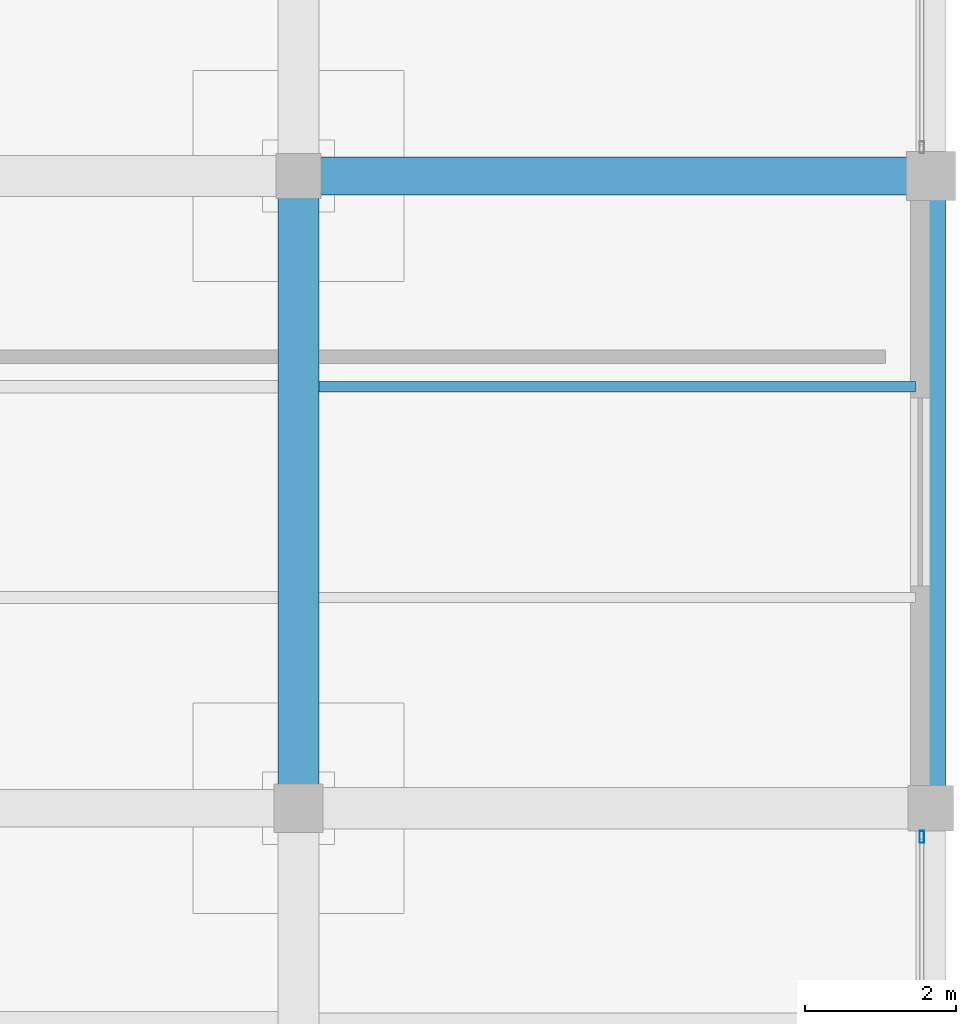
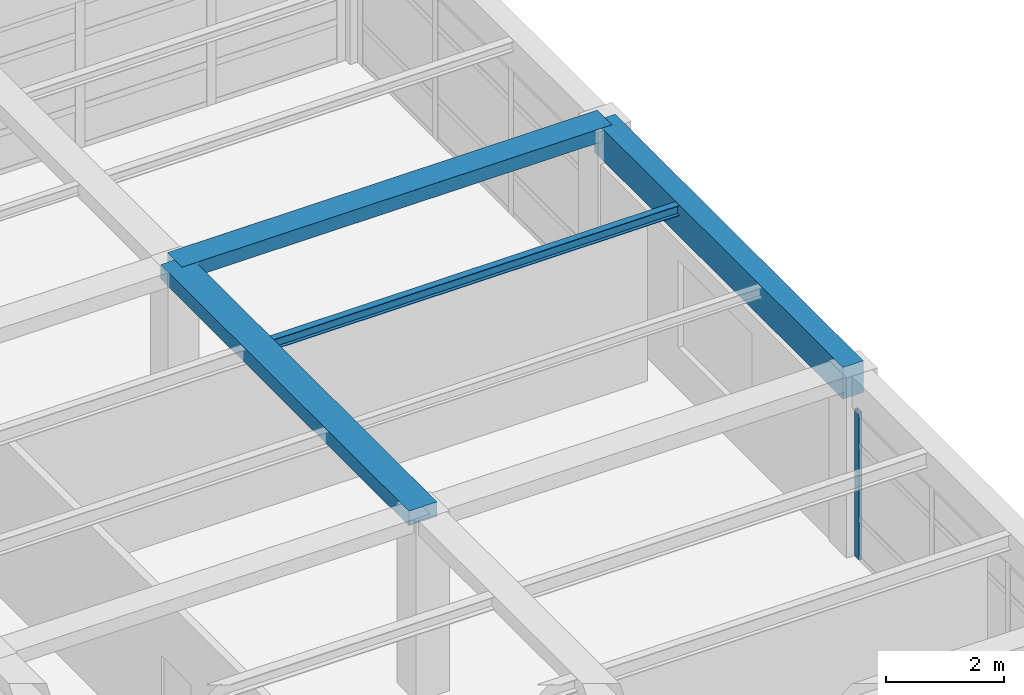
# One storey, part 15 of 26: 4 beams, 1 member, 1 element without a shape of its own.
"""IFC4 building model written with IfcOpenShell, lengths in metres."""

import ifcopenshell
import ifcopenshell.guid

model = None  # the IFC model being written
_history = None  # IfcOwnerHistory: only IFC2X3 demands one
_inside = {}  # id of a spatial element -> (the spatial element, [elements in it])
_under = {}  # id of a project, library or spatial element -> (it, [spatial elements below it])
_declared = {}  # id of a project -> (the project, [libraries it declares])
_typed = {}  # id of a type object -> (the type object, [elements of that type])
_made_of = {}  # id of a material, layer set ... -> (it, [elements and type objects made of it])


def new_model(schema):
    """Start an empty IFC model of exactly this schema.

    Asked for "IFC4X3", IfcOpenShell would pick the latest addendum, in which some entities
    have other attributes; the version numbers below select the first issue.
    IFC2X3 requires an IfcOwnerHistory on every rooted entity: one is made here for all.
    """
    global model, _history
    if schema == "IFC4X3":
        model = ifcopenshell.file(schema_version=(4, 3, 0, 0))
    else:
        model = ifcopenshell.file(schema=schema)
    _inside.clear()
    _under.clear()
    _declared.clear()
    _typed.clear()
    _made_of.clear()
    _history = None
    if model.schema == "IFC2X3":
        org = make("IfcOrganization", Name="unknown")
        user = make(
            "IfcPersonAndOrganization",
            ThePerson=make("IfcPerson", FamilyName="unknown"),
            TheOrganization=org,
        )
        app = make(
            "IfcApplication",
            ApplicationDeveloper=org,
            Version="unknown",
            ApplicationFullName="unknown",
            ApplicationIdentifier="unknown",
        )
        _history = make(
            "IfcOwnerHistory",
            OwningUser=user,
            OwningApplication=app,
            ChangeAction="ADDED",
            CreationDate=0,
        )
    return model


def make(cls, **values):
    """One entity of the class cls with the attributes given. An attribute that is None is left unset."""
    return model.create_entity(
        cls, **{name: value for name, value in values.items() if value is not None}
    )


def rooted(cls, **values):
    """An entity with a GlobalId (a new one), such as an element, a storey or a relation."""
    return make(cls, GlobalId=ifcopenshell.guid.new(), OwnerHistory=_history, **values)


def si_unit(unit_type, name, prefix=None):
    """IfcSIUnit, for example si_unit("LENGTHUNIT", "METRE", prefix="MILLI")."""
    return make("IfcSIUnit", UnitType=unit_type, Prefix=prefix, Name=name)


def assignment(units):
    """IfcUnitAssignment: the units of a project."""
    return None if units is None else make("IfcUnitAssignment", Units=units)


def point(xyz):
    """IfcCartesianPoint."""
    return None if xyz is None else make("IfcCartesianPoint", Coordinates=xyz)


def direction(xyz):
    """IfcDirection."""
    return None if xyz is None else make("IfcDirection", DirectionRatios=xyz)


def frame(location, z_axis=None, x_axis=None):
    """IfcAxis2Placement3D, a coordinate frame: its origin and axes. An axis left out is left unset."""
    return make(
        "IfcAxis2Placement3D",
        Location=point(location),
        Axis=direction(z_axis),
        RefDirection=direction(x_axis),
    )


def frame_2d(location, x_axis=None):
    """IfcAxis2Placement2D, a coordinate frame in the plane: its origin and x axis."""
    return make(
        "IfcAxis2Placement2D", Location=point(location), RefDirection=direction(x_axis)
    )


def origin():
    """The frame at (0, 0, 0) with its axes left unset."""
    return frame((0.0, 0.0, 0.0))


def origin_2d():
    """The frame at (0, 0) in the plane with its x axis left unset."""
    return frame_2d((0.0, 0.0))


def place(relative_to, where):
    """IfcLocalPlacement: puts the frame where relative to a parent placement (None: the world)."""
    return make(
        "IfcLocalPlacement", PlacementRelTo=relative_to, RelativePlacement=where
    )


def context(
    kind, dimensions, precision=None, world=None, true_north=None, identifier=None
):
    """IfcGeometricRepresentationContext, for example the 3D "Model" context."""
    return make(
        "IfcGeometricRepresentationContext",
        ContextIdentifier=identifier,
        ContextType=kind,
        CoordinateSpaceDimension=dimensions,
        Precision=precision,
        WorldCoordinateSystem=world,
        TrueNorth=true_north,
    )


def subcontext(parent, identifier, kind, view, scale=None):
    """IfcGeometricRepresentationSubContext, for example "Body" below "Model"."""
    return make(
        "IfcGeometricRepresentationSubContext",
        ContextIdentifier=identifier,
        ContextType=kind,
        ParentContext=parent,
        TargetScale=scale,
        TargetView=view,
    )


def project(units=None, contexts=None):
    """IfcProject with its units and contexts."""
    return rooted(
        "IfcProject",
        Name="project",
        RepresentationContexts=contexts,
        UnitsInContext=assignment(units),
    )


def spatial(cls, under=None, at=None, **own):
    """A site, building, storey or space (cls), placed at a placement, below another one or the project."""
    s = rooted(cls, ObjectPlacement=at, **own)
    if under is not None:
        _under.setdefault(under.id(), (under, []))[1].append(s)
    return s


def profile(cls, at=None, kind="AREA", **sizes):
    """A parametric profile (cls). Its sizes go by their IFC names, for example OverallWidth=200.0."""
    return make(cls, ProfileType=kind, Position=at, **sizes)


def rectangle(**sizes):
    """IfcRectangleProfileDef."""
    return profile("IfcRectangleProfileDef", **sizes)


def hollow_rectangle(**sizes):
    """IfcRectangleHollowProfileDef."""
    return profile("IfcRectangleHollowProfileDef", **sizes)


def i_section(**sizes):
    """IfcIShapeProfileDef."""
    return profile("IfcIShapeProfileDef", **sizes)


def extrude(swept, where, along, depth):
    """IfcExtrudedAreaSolid: the profile swept, set in the frame where, extruded along a direction by depth."""
    return make(
        "IfcExtrudedAreaSolid",
        SweptArea=swept,
        Position=where,
        ExtrudedDirection=direction(along),
        Depth=depth,
    )


def shape(context_of_items, identifier, shape_type, items):
    """IfcShapeRepresentation: the items that make up one representation, for example the "Body"."""
    return make(
        "IfcShapeRepresentation",
        ContextOfItems=context_of_items,
        RepresentationIdentifier=identifier,
        RepresentationType=shape_type,
        Items=items,
    )


def material(Name=None, Category=None):
    """IfcMaterial."""
    return make("IfcMaterial", Name=Name, Category=Category)


def material_profile(
    of_material, cross_section, Name=None, Category=None, Priority=None
):
    """IfcMaterialProfile: a cross section and its material."""
    return make(
        "IfcMaterialProfile",
        Name=Name,
        Material=of_material,
        Profile=cross_section,
        Priority=Priority,
        Category=Category,
    )


def profile_set(profiles, Name=None, composite=None):
    """IfcMaterialProfileSet."""
    return make(
        "IfcMaterialProfileSet",
        Name=Name,
        MaterialProfiles=profiles,
        CompositeProfile=composite,
    )


def made_of(thing, what):
    """Note that an element or type object is made of a material, layer set ...; save() writes the relation."""
    if what is not None:
        _made_of.setdefault(what.id(), (what, []))[1].append(thing)
    return thing


def type_object(cls, material=None, **own):
    """A type object (cls), such as IfcWallType, which elements share."""
    return made_of(rooted(cls, **own), material)


def element(
    cls,
    number,
    at=None,
    inside=None,
    cuts=None,
    type_object=None,
    material=None,
    context=None,
    identifier="Body",
    shape_type=None,
    held_by="IfcProductDefinitionShape",
    body=None,
    shapes=None,
    **own,
):
    """One element of the class cls, such as IfcWall. Its Tag is "e" and its number.

    at: its placement. inside: the storey or other place that contains it. cuts: it is an
    opening in that element (IfcRelVoidsElement). A single representation is given by context,
    identifier, shape_type and body (its items); several are given by shapes. held_by: the class
    of the entity that holds the representations. save() writes the other relations.
    """
    e = rooted(cls, Tag="e%d" % number, ObjectPlacement=at, **own)
    if body is not None:
        shapes = [shape(context, identifier, shape_type, body)]
    if shapes is not None:
        e.Representation = make(held_by, Representations=shapes)
    if inside is not None:
        _inside.setdefault(inside.id(), (inside, []))[1].append(e)
    if cuts is not None:
        rooted(
            "IfcRelVoidsElement", RelatingBuildingElement=cuts, RelatedOpeningElement=e
        )
    if type_object is not None:
        _typed.setdefault(type_object.id(), (type_object, []))[1].append(e)
    return made_of(e, material)


def aggregate(whole, parts):
    """IfcRelAggregates: a whole, such as a stair, and the parts it consists of."""
    return rooted("IfcRelAggregates", RelatingObject=whole, RelatedObjects=parts)


def save(model, path):
    """Write the relations noted so far, then the file.

    IfcRelAggregates (storeys below a building ...), IfcRelContainedInSpatialStructure (elements
    in a storey), IfcRelDefinesByType, IfcRelAssociatesMaterial and IfcRelDeclares: one each for
    every whole, place, type object, material and project.
    """
    for whole, parts in _under.values():
        aggregate(whole, parts)
    for where, things in _inside.values():
        rooted(
            "IfcRelContainedInSpatialStructure",
            RelatedElements=things,
            RelatingStructure=where,
        )
    for kind, things in _typed.values():
        rooted("IfcRelDefinesByType", RelatedObjects=things, RelatingType=kind)
    for what, things in _made_of.values():
        rooted("IfcRelAssociatesMaterial", RelatedObjects=things, RelatingMaterial=what)
    for by, libraries in _declared.values():
        rooted("IfcRelDeclares", RelatingContext=by, RelatedDefinitions=libraries)
    model.write(path)


model = new_model("IFC4")

# Units and contexts
model_context = context("Model", 3, precision=1e-05, world=origin(), true_north=direction((0.0, 1.0)))
body_context = subcontext(model_context, "Body", "Model", "MODEL_VIEW")
ifc_project = project(units=[si_unit("LENGTHUNIT", "METRE"), si_unit("AREAUNIT", "SQUARE_METRE"), si_unit("VOLUMEUNIT", "CUBIC_METRE"), si_unit("PLANEANGLEUNIT", "RADIAN"), si_unit("MASSUNIT", "GRAM", prefix="KILO")], contexts=[model_context])

# Site, building, storey
site_placement = place(None, origin())
site = spatial("IfcSite", under=ifc_project, at=site_placement, CompositionType="ELEMENT")
building_placement = place(site_placement, origin())
building = spatial("IfcBuilding", under=site, at=building_placement, Name="Almacenes y Pasaje Nevantli", CompositionType="ELEMENT")
storey_placement = place(building_placement, frame((0.0, 0.0, 54.699951171875)))
storey = spatial("IfcBuildingStorey", under=building, at=storey_placement, Name="L13", CompositionType="ELEMENT", Elevation=54.699951171875)

# Beams
ifc_material_1 = material(Name="Concrete C35/45", Category="concrete")
ifc_material_profile_1 = material_profile(ifc_material_1, rectangle(XDim=0.39990234375, YDim=0.64990234375, at=origin_2d()), Name="RC-BM-400x650")
ifc_profile_set_1 = profile_set([ifc_material_profile_1], Name="Concrete C35/45")
beam_type_1 = type_object("IfcBeamType", Name="BM-RC-400x650", PredefinedType="SPANDREL", material=ifc_profile_set_1)
beam_1_placement = place(storey_placement, frame((159.60009765625, 84.0, 3.39501953125), z_axis=(0.0, 1.0, 0.0), x_axis=(-1.0, 0.0, 0.0)))
element("IfcBeam", 1, at=beam_1_placement, inside=storey, type_object=beam_type_1, Name="L13 North-South Reinforced Concrete Beam #3983", PredefinedType="SPANDREL", context=body_context, shape_type="SweptSolid", body=[
    extrude(rectangle(XDim=0.39990234375, YDim=0.64990234375, at=origin_2d()), origin(), (0.0, 0.0, 1.0), 8.39990234375),
])
ifc_material_2 = material(Name="Concrete C35/45", Category="concrete")
ifc_material_profile_2 = material_profile(ifc_material_2, rectangle(XDim=0.5, YDim=0.280029296875, at=origin_2d()), Name="RC-BM-500x280")
ifc_profile_set_2 = profile_set([ifc_material_profile_2], Name="Concrete C35/45")
beam_type_2 = type_object("IfcBeamType", Name="BM-RC-500x280", PredefinedType="BEAM", material=ifc_profile_set_2)
beam_2_placement = place(storey_placement, frame((151.199951171875, 92.39990234375, 3.580078125), z_axis=(1.0, 0.0, 0.0), x_axis=(0.0, 1.0, 0.0)))
element("IfcBeam", 2, at=beam_2_placement, inside=storey, type_object=beam_type_2, Name="L13 East-West Reinforced Concrete Beam #3957", PredefinedType="BEAM", context=body_context, shape_type="SweptSolid", body=[
    extrude(rectangle(XDim=0.5, YDim=0.280029296875, at=origin_2d()), origin(), (0.0, 0.0, 1.0), 8.400146484375),
])
ifc_material_3 = material(Name="Concrete C35/45", Category="concrete")
ifc_material_profile_3 = material_profile(ifc_material_3, rectangle(XDim=0.550048828125, YDim=0.300048828125, at=origin_2d()), Name="RC-BM-550x300")
ifc_profile_set_3 = profile_set([ifc_material_profile_3], Name="Concrete C35/45")
beam_type_3 = type_object("IfcBeamType", Name="BM-RC-550x300", PredefinedType="BEAM", material=ifc_profile_set_3)
beam_3_placement = place(storey_placement, frame((151.199951171875, 84.0, 3.570068359375), z_axis=(0.0, 1.0, 0.0), x_axis=(-1.0, 0.0, 0.0)))
element("IfcBeam", 3, at=beam_3_placement, inside=storey, type_object=beam_type_3, Name="L13 North-South Reinforced Concrete Beam #3979", PredefinedType="BEAM", context=body_context, shape_type="SweptSolid", body=[
    extrude(rectangle(XDim=0.550048828125, YDim=0.300048828125, at=origin_2d()), origin(), (0.0, 0.0, 1.0), 8.39990234375),
])
ifc_material_4 = material(Name="Steel ASTM A992", Category="steel")
ifc_material_profile_4 = material_profile(ifc_material_4, i_section(OverallWidth=0.134033203125, OverallDepth=0.2099609375, WebThickness=0.00634765625, FlangeThickness=0.01025390625, at=origin_2d()), Name="IR 203x31.3")
ifc_profile_set_4 = profile_set([ifc_material_profile_4], Name="Steel ASTM A992")
beam_type_4 = type_object("IfcBeamType", Name="BM-STL-IR-203x31p3", PredefinedType="JOIST", material=ifc_profile_set_4)
beam_4_placement = place(storey_placement, frame((151.47509765625, 89.60009765625, 3.60693359375), z_axis=(1.0, 0.0, 0.0), x_axis=(0.0, 1.0, 0.0)))
element("IfcBeam", 4, at=beam_4_placement, inside=storey, type_object=beam_type_4, Name="L13 Secondary Steel Floor Joist #1590", PredefinedType="JOIST", context=body_context, shape_type="SweptSolid", body=[
    extrude(i_section(OverallWidth=0.134033203125, OverallDepth=0.2099609375, WebThickness=0.00634765625, FlangeThickness=0.01025390625, at=origin_2d()), origin(), (0.0, 0.0, 1.0), 7.9248046875),
])

# Curtain wall, member
ifc_material_5 = material(Name="Thermally Broken Aluminium and Low-E Glass", Category="aluminium")
curtain_wall_type = type_object("IfcCurtainWallType", Name="CW-UNIT-TOWER", PredefinedType="USERDEFINED", material=ifc_material_5)
curtain_wall_placement = place(storey_placement, origin())
curtain_wall = element("IfcCurtainWall", 5, at=curtain_wall_placement, inside=storey, type_object=curtain_wall_type, Name="L13 Tower East Curtain Wall Bay 10", ObjectType="UNITIZED CURTAIN WALL", PredefinedType="USERDEFINED")
ifc_material_6 = material(Name="Thermally Broken Anodized Aluminium", Category="aluminium")
ifc_material_profile_5 = material_profile(ifc_material_6, hollow_rectangle(XDim=0.06005859375, YDim=0.159912109375, WallThickness=0.00390625, at=origin_2d()), Name="ALU-MUL-60x160")
ifc_profile_set_5 = profile_set([ifc_material_profile_5], Name="Thermally Broken Anodized Aluminium")
member_type = type_object("IfcMemberType", Name="CW-MUL-180", PredefinedType="MULLION", material=ifc_profile_set_5)
member_placement = place(storey_placement, frame((159.47998046875, 83.6201171875, 0.0), z_axis=(0.0, 0.0, 1.0), x_axis=(-1.0, 0.0, 0.0)))
member = element("IfcMember", 6, at=member_placement, type_object=member_type, Name="CW-L13-174 mullion 4", PredefinedType="MULLION", context=body_context, shape_type="SweptSolid", body=[
    extrude(hollow_rectangle(XDim=0.06005859375, YDim=0.159912109375, WallThickness=0.00390625, at=origin_2d()), origin(), (0.0, 0.0, 1.0), 3.0400390625),
])
aggregate(curtain_wall, [member])

save(model, "model.ifc")
